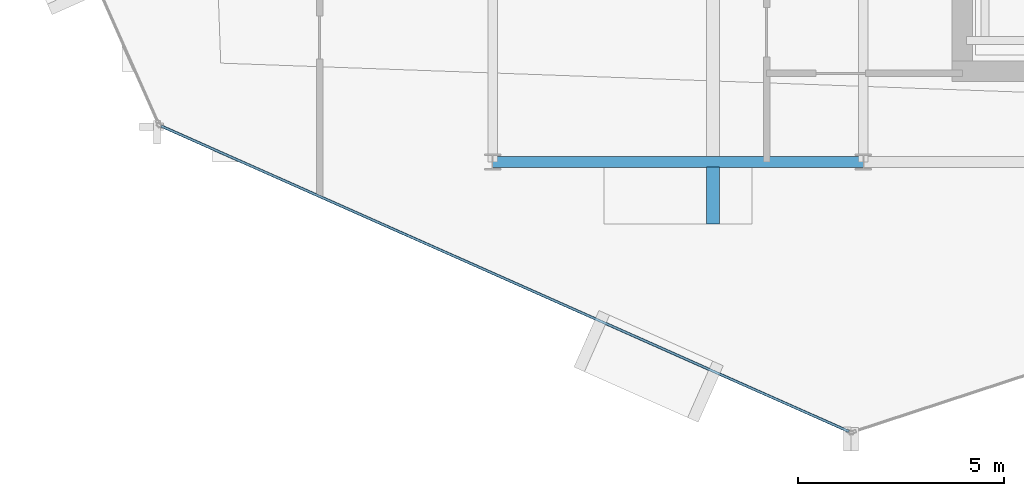
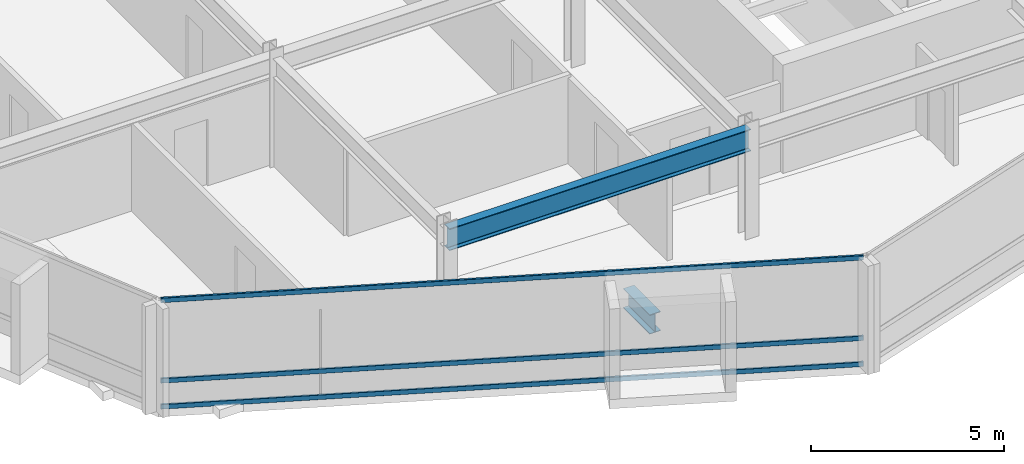
# One storey, part 3 of 28: 3 members, 2 beams, 1 element without a shape of its own.
"""IFC4 building model written with IfcOpenShell, lengths in metres."""

from ifc_helpers import new_model, si_unit, direction, frame, origin, origin_2d, place, context, subcontext, project, spatial, hollow_rectangle, i_section, extrude, material, layer, layer_set, material_profile, profile_set, type_object, element, aggregate, save


model = new_model("IFC4")

# Units and contexts
model_context = context("Model", 3, precision=1e-05, world=origin(), true_north=direction((0.0, 1.0)))
body_context = subcontext(model_context, "Body", "Model", "MODEL_VIEW")
ifc_project = project(units=[si_unit("LENGTHUNIT", "METRE"), si_unit("AREAUNIT", "SQUARE_METRE"), si_unit("VOLUMEUNIT", "CUBIC_METRE"), si_unit("PLANEANGLEUNIT", "RADIAN"), si_unit("MASSUNIT", "GRAM", prefix="KILO")], contexts=[model_context])

# Site, building, storey
site_placement = place(None, origin())
site = spatial("IfcSite", under=ifc_project, at=site_placement, CompositionType="ELEMENT")
building_placement = place(site_placement, origin())
building = spatial("IfcBuilding", under=site, at=building_placement, Name="Solvaryn Broadcast Tower", CompositionType="ELEMENT")
storey_placement = place(building_placement, frame((0.0, 0.0, 206.199951171875)))
storey = spatial("IfcBuildingStorey", under=building, at=storey_placement, Name="L51", CompositionType="ELEMENT", Elevation=206.199951171875)

# Beams
ifc_material_1 = material(Name="Steel ASTM A992 Grade 50", Category="steel")
ifc_material_profile_1 = material_profile(ifc_material_1, i_section(OverallWidth=0.323974609375, OverallDepth=0.611083984375, WebThickness=0.0126953125, FlangeThickness=0.01904296875, FilletRadius=0.014892578125, at=origin_2d()))
ifc_profile_set_1 = profile_set([ifc_material_profile_1], Name="Steel ASTM A992 Grade 50")
beam_type_1 = type_object("IfcBeamType", Name="BM-CANT-TER", PredefinedType="BEAM", material=ifc_profile_set_1)
beam_1_placement = place(storey_placement, frame((23.35009765625, 8.875, -0.58544921875), z_axis=(0.0, -1.0, 0.0), x_axis=(1.0, 0.0, 0.0)))
element("IfcBeam", 1, at=beam_1_placement, inside=storey, type_object=beam_type_1, Name="L51 Bay-Box Cantilever Bracket 1", PredefinedType="BEAM", context=body_context, shape_type="SweptSolid", body=[
    extrude(i_section(OverallWidth=0.323974609375, OverallDepth=0.611083984375, WebThickness=0.0126953125, FlangeThickness=0.01904296875, FilletRadius=0.014892578125, at=origin_2d()), origin(), (0.0, 0.0, 1.0), 1.375),
])
ifc_material_2 = material(Name="Steel ASTM A992 Grade 50", Category="steel")
ifc_material_profile_2 = material_profile(ifc_material_2, i_section(OverallWidth=0.256103515625, OverallDepth=0.693115234375, WebThickness=0.014404296875, FlangeThickness=0.023681640625, FilletRadius=0.01611328125, at=origin_2d()))
ifc_profile_set_2 = profile_set([ifc_material_profile_2], Name="Steel ASTM A992 Grade 50")
beam_type_2 = type_object("IfcBeamType", Name="BM-SP3-W27X114", PredefinedType="USERDEFINED", material=ifc_profile_set_2)
beam_2_placement = place(storey_placement, frame((18.0, 9.0, 3.073486328125), z_axis=(1.0, 0.0, 0.0), x_axis=(0.0, 1.0, 0.0)))
element("IfcBeam", 2, at=beam_2_placement, inside=storey, type_object=beam_type_2, Name="L51 Spandrel Beam X (18-27 @ Y=9)", ObjectType="SPANDREL", PredefinedType="USERDEFINED", context=body_context, shape_type="SweptSolid", body=[
    extrude(i_section(OverallWidth=0.256103515625, OverallDepth=0.693115234375, WebThickness=0.014404296875, FlangeThickness=0.023681640625, FilletRadius=0.01611328125, at=origin_2d()), origin(), (0.0, 0.0, 1.0), 9.0),
])

# Curtain wall, members
ifc_material_3 = material(Name="Aluminium and Terracotta Unitised Curtain Wall", Category="masonry")
ifc_layer = layer(ifc_material_3, 0.199951171875)
ifc_layer_set = layer_set([ifc_layer], Name="CW-SYS2-LOWMID")
curtain_wall_type = type_object("IfcCurtainWallType", Name="CW-SYS2-LOWMID", PredefinedType="NOTDEFINED", material=ifc_layer_set)
curtain_wall_placement = place(storey_placement, origin())
curtain_wall = element("IfcCurtainWall", 3, at=curtain_wall_placement, inside=storey, type_object=curtain_wall_type, Name="L51 Curtain Wall DR3", PredefinedType="NOTDEFINED")
ifc_material_4 = material(Name="Anodised Aluminium 6063-T6", Category="aluminium")
ifc_material_profile_3 = material_profile(ifc_material_4, hollow_rectangle(XDim=0.06494140625, YDim=0.14990234375, WallThickness=0.00390625, InnerFilletRadius=0.00390625, OuterFilletRadius=0.008056640625, at=origin_2d()))
ifc_profile_set_3 = profile_set([ifc_material_profile_3], Name="Anodised Aluminium 6063-T6")
member_type = type_object("IfcMemberType", Name="CW-TRN-150", PredefinedType="USERDEFINED", material=ifc_profile_set_3)
member_1_placement = place(storey_placement, frame((9.952880859375, 9.87353515625, 0.030029296875), z_axis=(0.913916761992, -0.405901653299, 0.0), x_axis=(0.405901653299, 0.913916761992, 0.0)))
member_1 = element("IfcMember", 4, at=member_1_placement, type_object=member_type, Name="CWS2 transom 1.1", ObjectType="TRANSOM", PredefinedType="USERDEFINED", context=body_context, shape_type="SweptSolid", body=[
    extrude(hollow_rectangle(XDim=0.06494140625, YDim=0.14990234375, WallThickness=0.00390625, InnerFilletRadius=0.00390625, OuterFilletRadius=0.008056640625, at=origin_2d()), origin(), (0.0, 0.0, 1.0), 18.27099609375),
])
member_2_placement = place(storey_placement, frame((9.952880859375, 9.87353515625, 0.85009765625), z_axis=(0.913916761992, -0.405901653299, 0.0), x_axis=(0.405901653299, 0.913916761992, 0.0)))
member_2 = element("IfcMember", 5, at=member_2_placement, type_object=member_type, Name="CWS2 transom 1.2", ObjectType="TRANSOM", PredefinedType="USERDEFINED", context=body_context, shape_type="SweptSolid", body=[
    extrude(hollow_rectangle(XDim=0.06494140625, YDim=0.14990234375, WallThickness=0.00390625, InnerFilletRadius=0.00390625, OuterFilletRadius=0.008056640625, at=origin_2d()), origin(), (0.0, 0.0, 1.0), 18.27099609375),
])
member_3_placement = place(storey_placement, frame((9.952880859375, 9.87353515625, 3.39013671875), z_axis=(0.913916761992, -0.405901653299, 0.0), x_axis=(0.405901653299, 0.913916761992, 0.0)))
member_3 = element("IfcMember", 6, at=member_3_placement, type_object=member_type, Name="CWS2 transom 1.3", ObjectType="TRANSOM", PredefinedType="USERDEFINED", context=body_context, shape_type="SweptSolid", body=[
    extrude(hollow_rectangle(XDim=0.06494140625, YDim=0.14990234375, WallThickness=0.00390625, InnerFilletRadius=0.00390625, OuterFilletRadius=0.008056640625, at=origin_2d()), origin(), (0.0, 0.0, 1.0), 18.27099609375),
])
aggregate(curtain_wall, [member_1, member_2, member_3])

save(model, "model.ifc")
